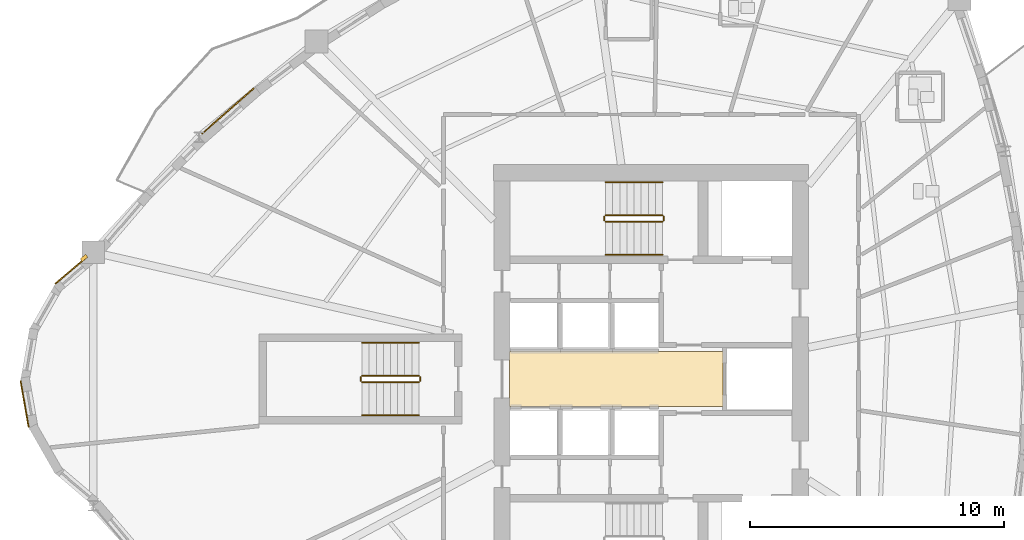
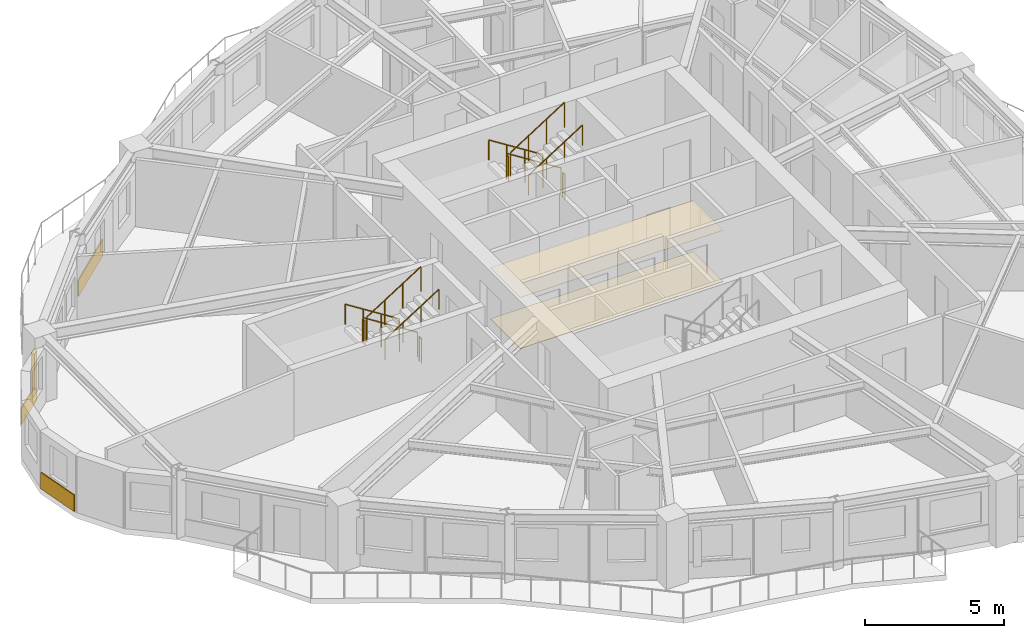
# One storey, part 10 of 12: 12 railings, 5 coverings, 1 shading device.
"""IFC4 building model written with IfcOpenShell, lengths in metres."""

from ifc_helpers import new_model, si_unit, direction, frame, origin, origin_2d, place, context, subcontext, project, spatial, polyline, rectangle, circle, outline, extrude, source, transform, mapped, material, layer, layer_set, type_object, element, save


model = new_model("IFC4")

# Units and contexts
model_context = context("Model", 3, precision=1e-05, world=origin(), true_north=direction((0.0, 1.0)))
body_context = subcontext(model_context, "Body", "Model", "MODEL_VIEW")
ifc_project = project(units=[si_unit("LENGTHUNIT", "METRE"), si_unit("AREAUNIT", "SQUARE_METRE"), si_unit("VOLUMEUNIT", "CUBIC_METRE"), si_unit("PLANEANGLEUNIT", "RADIAN"), si_unit("MASSUNIT", "GRAM", prefix="KILO")], contexts=[model_context])

# Site, building, storey
site_placement = place(None, origin())
site = spatial("IfcSite", under=ifc_project, at=site_placement, CompositionType="ELEMENT")
building_placement = place(site_placement, origin())
building = spatial("IfcBuilding", under=site, at=building_placement, Name="Qafzar Sky-Pleat Residences", CompositionType="ELEMENT")
storey_placement = place(building_placement, frame((0.0, 0.0, 96.0)))
storey = spatial("IfcBuildingStorey", under=building, at=storey_placement, Name="L28", CompositionType="ELEMENT", Elevation=96.0)

# Coverings
ifc_material_1 = material(Name="Perforated acoustic gypsum board ceiling")
ifc_layer_1 = layer(ifc_material_1, 0.02001953125)
ifc_layer_set_1 = layer_set([ifc_layer_1], Name="Perforated acoustic gypsum board ceiling")
covering_type_1 = type_object("IfcCoveringType", Name="COV-CEIL-ACOUSTIC", PredefinedType="CEILING", material=ifc_layer_set_1)
covering_1_placement = place(storey_placement, frame((0.0, 0.0, 2.239990234375)))
element("IfcCovering", 1, at=covering_1_placement, inside=storey, type_object=covering_type_1, Name="L28 Passenger Lift Lobby Acoustic Ceiling", PredefinedType="CEILING", context=body_context, shape_type="SweptSolid", body=[
    extrude(outline(polyline([(33.179931640625, 24.919921875), (24.77001953125, 24.919921875), (24.77001953125, 27.080078125), (33.179931640625, 27.080078125), (33.179931640625, 24.919921875)])), origin(), (0.0, 0.0, 1.0), 0.02001953125),
])
ifc_material_2 = material(Name="Honed porcelain and Riyadh stone tile flooring", Category="masonry")
ifc_layer_2 = layer(ifc_material_2, 0.02001953125)
ifc_layer_set_2 = layer_set([ifc_layer_2], Name="Honed porcelain and Riyadh stone tile flooring")
covering_type_2 = type_object("IfcCoveringType", Name="COV-FLR-PORCELAIN", PredefinedType="FLOORING", material=ifc_layer_set_2)
covering_2_placement = place(storey_placement, origin())
element("IfcCovering", 2, at=covering_2_placement, inside=storey, type_object=covering_type_2, Name="L28 Passenger Lift Lobby Honed Stone Flooring", PredefinedType="FLOORING", context=body_context, shape_type="SweptSolid", body=[
    extrude(outline(polyline([(33.179931640625, 24.919921875), (24.77001953125, 24.919921875), (24.77001953125, 27.080078125), (33.179931640625, 27.080078125), (33.179931640625, 24.919921875)])), origin(), (0.0, 0.0, 1.0), 0.02001953125),
])

# Shading device
ifc_material_3 = material(Name="Honed Riyadh limestone solar fin", Category="masonry")
ifc_layer_3 = layer(ifc_material_3, 0.139892578125)
ifc_layer_set_3 = layer_set([ifc_layer_3], Name="Honed Riyadh limestone solar fin")
shading_device_type = type_object("IfcShadingDeviceType", Name="SHD-FIN-STONE", PredefinedType="SHUTTER", material=ifc_layer_set_3)
shared_shape_1 = source(origin(), body_context, "Body", "SweptSolid", [
    extrude(rectangle(XDim=0.139892578125, YDim=0.280029296875, at=origin_2d()), origin(), (0.0, 0.0, 1.0), 1.60009765625),
])
shading_device_placement = place(storey_placement, frame((8.001220703125, 30.771728515625, 0.599853515625), z_axis=(0.0, 0.0, 1.0), x_axis=(-0.648553503037, 0.761169070377, 0.0)))
element("IfcShadingDevice", 3, at=shading_device_placement, inside=storey, type_object=shading_device_type, Name="L28 Limestone Solar Fin 1", PredefinedType="SHUTTER", context=body_context, shape_type="MappedRepresentation", body=[
    mapped(shared_shape_1, transform((0.0, 0.0, 0.0), x_axis=(1.0, 0.0, 0.0), y_axis=(0.0, 1.0, 0.0), z_axis=(0.0, 0.0, 1.0), scale=1.0)),
])

# Coverings
ifc_material_4 = material(Name="Honed Riyadh Tuwaiq limestone cladding", Category="masonry")
ifc_layer_4 = layer(ifc_material_4, 0.044921875)
ifc_layer_set_4 = layer_set([ifc_layer_4], Name="Honed Riyadh Tuwaiq limestone cladding")
covering_type_3 = type_object("IfcCoveringType", Name="COV-CLAD-STONE", PredefinedType="CLADDING", material=ifc_layer_set_4)
shared_shape_2 = source(origin(), body_context, "Body", "SweptSolid", [
    extrude(rectangle(XDim=1.86572265625, YDim=0.044921875, at=origin_2d()), origin(), (0.0, 0.0, 1.0), 0.719970703125),
])
covering_3_placement = place(storey_placement, frame((5.66064453125, 25.0126953125, 0.02001953125), z_axis=(0.0, 0.0, 1.0), x_axis=(0.172161515838, -0.985068734893, 0.0)))
element("IfcCovering", 4, at=covering_3_placement, inside=storey, type_object=covering_type_3, Name="L28 Riyadh Limestone Spandrel Cladding 4", PredefinedType="CLADDING", context=body_context, shape_type="MappedRepresentation", body=[
    mapped(shared_shape_2, transform((0.0, 0.0, 0.0), x_axis=(1.0, 0.0, 0.0), y_axis=(0.0, 1.0, 0.0), z_axis=(0.0, 0.0, 1.0), scale=1.0)),
])
shared_shape_3 = source(origin(), body_context, "Body", "SweptSolid", [
    extrude(rectangle(XDim=1.62451171875, YDim=0.044921875, at=origin_2d()), origin(), (0.0, 0.0, 1.0), 0.719970703125),
])
covering_4_placement = place(storey_placement, frame((7.48876953125, 30.278564453125, 0.02001953125), z_axis=(0.0, 0.0, 1.0), x_axis=(-0.761200687732, -0.648516393777, 0.0)))
element("IfcCovering", 5, at=covering_4_placement, inside=storey, type_object=covering_type_3, Name="L28 Riyadh Limestone Spandrel Cladding 1", PredefinedType="CLADDING", context=body_context, shape_type="MappedRepresentation", body=[
    mapped(shared_shape_3, transform((0.0, 0.0, 0.0), x_axis=(1.0, 0.0, 0.0), y_axis=(0.0, 1.0, 0.0), z_axis=(0.0, 0.0, 1.0), scale=1.0)),
])
shared_shape_4 = source(origin(), body_context, "Body", "SweptSolid", [
    extrude(rectangle(XDim=2.716796875, YDim=0.044921875, at=origin_2d()), origin(), (0.0, 0.0, 1.0), 0.719970703125),
])
covering_5_placement = place(storey_placement, frame((13.66845703125, 36.56005859375, 0.02001953125), z_axis=(0.0, 0.0, 1.0), x_axis=(-0.7514983094, -0.659735015721, 0.0)))
element("IfcCovering", 6, at=covering_5_placement, inside=storey, type_object=covering_type_3, Name="L28 Riyadh Limestone Spandrel Cladding 46", PredefinedType="CLADDING", context=body_context, shape_type="MappedRepresentation", body=[
    mapped(shared_shape_4, transform((0.0, 0.0, 0.0), x_axis=(1.0, 0.0, 0.0), y_axis=(0.0, 1.0, 0.0), z_axis=(0.0, 0.0, 1.0), scale=1.0)),
])

# Railings
ifc_material_5 = material(Name="Painted Steel S355 stair guardrail", Category="steel")
railing_type_1 = type_object("IfcRailingType", Name="RAIL-STAIR-GUARD", PredefinedType="GUARDRAIL", material=ifc_material_5)
shared_shape_5 = source(origin(), body_context, "Body", "SweptSolid", [
    extrude(circle(Radius=0.02392578125, at=origin_2d()), frame((0.0, 0.0, 1.076171875), z_axis=(0.0, -1.0, 0.0), x_axis=(1.0, 0.0, 0.0)), (0.0, 0.0, 1.0), 0.14990234375),
    extrude(circle(Radius=0.02099609375, at=origin_2d()), origin(), (0.0, 0.0, 1.0), 1.052001953125),
    extrude(circle(Radius=0.02099609375, at=origin_2d()), frame((0.0, -0.14990234375, 0.0)), (0.0, 0.0, 1.0), 1.052001953125),
])
for number, where, name in (
    (7, (28.510009765625, 32.39990234375, 1.60009765625), "L28 ST2 stair guard 2"),
    (8, (30.85009765625, 32.39990234375, 0.0), "L28 ST2 stair guard 4"),
    (9, (18.909912109375, 26.074951171875, 1.60009765625), "L28 ST3 stair guard 2"),
    (10, (21.25, 26.074951171875, 0.0), "L28 ST3 stair guard 4"),
):
    element("IfcRailing", number, at=place(storey_placement, frame(where)), inside=storey, type_object=railing_type_1, Name=name, PredefinedType="GUARDRAIL", context=body_context, shape_type="MappedRepresentation", body=[
        mapped(shared_shape_5, transform((0.0, 0.0, 0.0), x_axis=(1.0, 0.0, 0.0), y_axis=(0.0, 1.0, 0.0), z_axis=(0.0, 0.0, 1.0), scale=1.0)),
    ])
shared_shape_6 = source(origin(), body_context, "Body", "SweptSolid", [
    extrude(circle(Radius=0.02392578125, at=origin_2d()), frame((0.0, 0.0, 1.076171875), z_axis=(0.8442293374, 0.0, 0.53598211339), x_axis=(0.0, 1.0, 0.0)), (0.0, 0.0, 1.0), 2.6533203125),
    extrude(circle(Radius=0.02099609375, at=origin_2d()), origin(), (0.0, 0.0, 1.0), 1.052001953125),
    extrude(circle(Radius=0.02099609375, at=origin_2d()), frame((0.74658203125, 0.0, 0.47412109375)), (0.0, 0.0, 1.0), 1.052001953125),
    extrude(circle(Radius=0.02099609375, at=origin_2d()), frame((1.493408203125, 0.0, 0.947998046875)), (0.0, 0.0, 1.0), 1.052001953125),
    extrude(circle(Radius=0.02099609375, at=origin_2d()), frame((2.239990234375, 0.0, 1.422119140625)), (0.0, 0.0, 1.0), 1.052001953125),
])
for number, where, name in (
    (11, (28.56005859375, 32.199951171875, 1.77783203125), "L28 ST2 stair guard 3"),
    (12, (18.9599609375, 25.875, 1.77783203125), "L28 ST3 stair guard 3"),
):
    element("IfcRailing", number, at=place(storey_placement, frame(where)), inside=storey, type_object=railing_type_1, Name=name, PredefinedType="GUARDRAIL", context=body_context, shape_type="MappedRepresentation", body=[
        mapped(shared_shape_6, transform((0.0, 0.0, 0.0), x_axis=(1.0, 0.0, 0.0), y_axis=(0.0, 1.0, 0.0), z_axis=(0.0, 0.0, 1.0), scale=1.0)),
    ])
ifc_material_6 = material(Name="Brushed stainless steel handrail", Category="steel")
railing_type_2 = type_object("IfcRailingType", Name="RAIL-STAIR-HAND", PredefinedType="HANDRAIL", material=ifc_material_6)
shared_shape_7 = source(origin(), body_context, "Body", "SweptSolid", [
    extrude(circle(Radius=0.02392578125, at=origin_2d()), frame((0.0, 0.0, 0.8759765625), z_axis=(0.8442293374, 0.0, 0.53598211339), x_axis=(0.0, 1.0, 0.0)), (0.0, 0.0, 1.0), 2.6533203125),
    extrude(circle(Radius=0.02099609375, at=origin_2d()), origin(), (0.0, 0.0, 1.0), 0.851806640625),
    extrude(circle(Radius=0.02099609375, at=origin_2d()), frame((0.74658203125, 0.0, 0.47412109375)), (0.0, 0.0, 1.0), 0.851806640625),
    extrude(circle(Radius=0.02099609375, at=origin_2d()), frame((1.493408203125, 0.0, 0.947998046875)), (0.0, 0.0, 1.0), 0.851806640625),
    extrude(circle(Radius=0.02099609375, at=origin_2d()), frame((2.239990234375, 0.0, 1.422119140625)), (0.0, 0.0, 1.0), 0.851806640625),
])
for number, where, name in (
    (13, (28.56005859375, 30.89990234375, 1.77783203125), "L28 ST2 stair handrail 2"),
    (14, (18.9599609375, 24.574951171875, 1.77783203125), "L28 ST3 stair handrail 2"),
):
    element("IfcRailing", number, at=place(storey_placement, frame(where)), inside=storey, type_object=railing_type_2, Name=name, PredefinedType="HANDRAIL", context=body_context, shape_type="MappedRepresentation", body=[
        mapped(shared_shape_7, transform((0.0, 0.0, 0.0), x_axis=(1.0, 0.0, 0.0), y_axis=(0.0, 1.0, 0.0), z_axis=(0.0, 0.0, 1.0), scale=1.0)),
    ])
shared_shape_8 = source(origin(), body_context, "Body", "SweptSolid", [
    extrude(circle(Radius=0.02392578125, at=origin_2d()), frame((0.0, 0.0, 1.076171875), z_axis=(-0.84418770128, 0.0, 0.536047689118), x_axis=(0.0, -1.0, 0.0)), (0.0, 0.0, 1.0), 2.6533203125),
    extrude(circle(Radius=0.02099609375, at=origin_2d()), origin(), (0.0, 0.0, 1.0), 1.052001953125),
    extrude(circle(Radius=0.02099609375, at=origin_2d()), frame((-0.74658203125, 0.0, 0.47412109375)), (0.0, 0.0, 1.0), 1.052001953125),
    extrude(circle(Radius=0.02099609375, at=origin_2d()), frame((-1.493408203125, 0.0, 0.9482421875)), (0.0, 0.0, 1.0), 1.052001953125),
    extrude(circle(Radius=0.02099609375, at=origin_2d()), frame((-2.239990234375, 0.0, 1.42236328125)), (0.0, 0.0, 1.0), 1.052001953125),
])
for number, where, name in (
    (15, (30.800048828125, 32.449951171875, 0.177734375), "L28 ST2 stair guard 1"),
    (16, (21.199951171875, 26.125, 0.177734375), "L28 ST3 stair guard 1"),
):
    element("IfcRailing", number, at=place(storey_placement, frame(where)), inside=storey, type_object=railing_type_1, Name=name, PredefinedType="GUARDRAIL", context=body_context, shape_type="MappedRepresentation", body=[
        mapped(shared_shape_8, transform((0.0, 0.0, 0.0), x_axis=(1.0, 0.0, 0.0), y_axis=(0.0, 1.0, 0.0), z_axis=(0.0, 0.0, 1.0), scale=1.0)),
    ])
shared_shape_9 = source(origin(), body_context, "Body", "SweptSolid", [
    extrude(circle(Radius=0.02392578125, at=origin_2d()), frame((0.0, 0.0, 0.8759765625), z_axis=(-0.84418770128, 0.0, 0.536047689118), x_axis=(0.0, -1.0, 0.0)), (0.0, 0.0, 1.0), 2.6533203125),
    extrude(circle(Radius=0.02099609375, at=origin_2d()), origin(), (0.0, 0.0, 1.0), 0.851806640625),
    extrude(circle(Radius=0.02099609375, at=origin_2d()), frame((-0.74658203125, 0.0, 0.47412109375)), (0.0, 0.0, 1.0), 0.851806640625),
    extrude(circle(Radius=0.02099609375, at=origin_2d()), frame((-1.493408203125, 0.0, 0.9482421875)), (0.0, 0.0, 1.0), 0.851806640625),
    extrude(circle(Radius=0.02099609375, at=origin_2d()), frame((-2.239990234375, 0.0, 1.42236328125)), (0.0, 0.0, 1.0), 0.851806640625),
])
for number, where, name in (
    (17, (30.800048828125, 33.75, 0.177734375), "L28 ST2 stair handrail 1"),
    (18, (21.199951171875, 27.425048828125, 0.177734375), "L28 ST3 stair handrail 1"),
):
    element("IfcRailing", number, at=place(storey_placement, frame(where)), inside=storey, type_object=railing_type_2, Name=name, PredefinedType="HANDRAIL", context=body_context, shape_type="MappedRepresentation", body=[
        mapped(shared_shape_9, transform((0.0, 0.0, 0.0), x_axis=(1.0, 0.0, 0.0), y_axis=(0.0, 1.0, 0.0), z_axis=(0.0, 0.0, 1.0), scale=1.0)),
    ])

save(model, "model.ifc")
